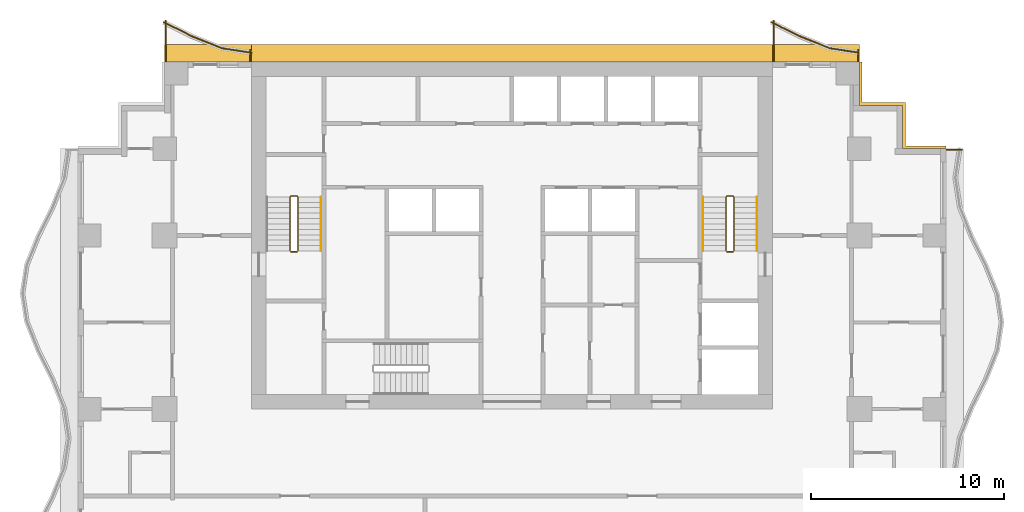
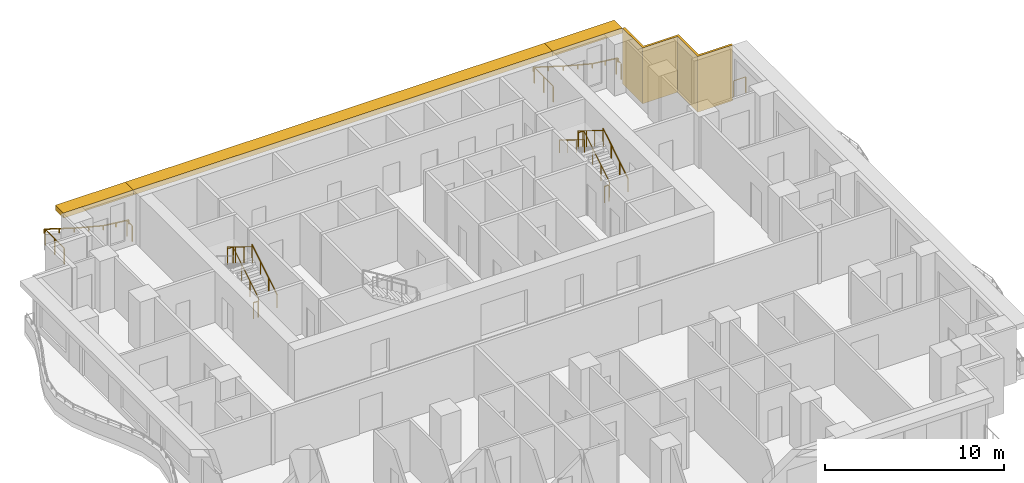
# One storey, part 10 of 10: 14 railings, 4 shading devices.
"""IFC4 building model written with IfcOpenShell, lengths in metres."""

from ifc_helpers import new_model, si_unit, direction, frame, origin, origin_2d, place, context, subcontext, project, spatial, polyline, rectangle, circle, outline, extrude, material, layer, layer_set, type_object, element, save


model = new_model("IFC4")

# Units and contexts
model_context = context("Model", 3, precision=1e-05, world=origin(), true_north=direction((0.0, 1.0)))
body_context = subcontext(model_context, "Body", "Model", "MODEL_VIEW")
ifc_project = project(units=[si_unit("LENGTHUNIT", "METRE"), si_unit("AREAUNIT", "SQUARE_METRE"), si_unit("VOLUMEUNIT", "CUBIC_METRE"), si_unit("PLANEANGLEUNIT", "RADIAN"), si_unit("MASSUNIT", "GRAM", prefix="KILO")], contexts=[model_context])

# Site, building, storey
site_placement = place(None, origin())
site = spatial("IfcSite", under=ifc_project, at=site_placement, CompositionType="ELEMENT")
building_placement = place(site_placement, origin())
building = spatial("IfcBuilding", under=site, at=building_placement, Name="Orbiselva Terraces", CompositionType="ELEMENT")
storey_placement = place(building_placement, frame((0.0, 0.0, 136.4)))
storey = spatial("IfcBuildingStorey", under=building, at=storey_placement, Name="L34", CompositionType="ELEMENT", Elevation=136.4)

# Railings
ifc_material_1 = material(Name="Stainless steel", Category="steel")
railing_type_1 = type_object("IfcRailingType", Name="CORE-GUARD-1100", PredefinedType="GUARDRAIL", material=ifc_material_1)
railing_1_placement = place(storey_placement, frame((-11.1, 12.7, 0.172727)))
element("IfcRailing", 1, at=railing_1_placement, inside=storey, type_object=railing_type_1, Name="L34 S1 stair guard 1", PredefinedType="GUARDRAIL", context=body_context, shape_type="SweptSolid", body=[
    extrude(circle(Radius=0.024, at=origin_2d()), frame((0.0, 0.0, 1.081), z_axis=(0.0, 0.851088519012, 0.52502222125), x_axis=(-1.0, 0.0, 0.0)), (0.0, 0.0, 1.0), 3.289905),
    extrude(circle(Radius=0.024, at=origin_2d()), frame((0.0, 2.8, 2.808273), z_axis=(-0.707106781187, 0.707106781187, 0.0), x_axis=(-0.707106781187, -0.707106781187, 0.0)), (0.0, 0.0, 1.0), 0.070711),
    extrude(circle(Radius=0.024, at=origin_2d()), frame((-0.05, 2.85, 2.808273), z_axis=(-1.0, 0.0, 0.0), x_axis=(0.0, -1.0, 0.0)), (0.0, 0.0, 1.0), 0.3),
    extrude(circle(Radius=0.024, at=origin_2d()), frame((-0.35, 2.85, 2.808273), z_axis=(-0.267894925557, -0.267894925557, 0.925453736133), x_axis=(0.707106781187, -0.707106781187, 0.0)), (0.0, 0.0, 1.0), 0.18664),
    extrude(circle(Radius=0.024, at=origin_2d()), frame((-0.4, 2.8, 2.981), z_axis=(0.0, -0.851088519012, 0.52502222125), x_axis=(1.0, 0.0, 0.0)), (0.0, 0.0, 1.0), 3.289905),
    extrude(circle(Radius=0.021, at=origin_2d()), origin(), (0.0, 0.0, 1.0), 1.057),
    extrude(circle(Radius=0.021, at=origin_2d()), frame((0.0, 0.933333, 0.575758)), (0.0, 0.0, 1.0), 1.057),
    extrude(circle(Radius=0.021, at=origin_2d()), frame((0.0, 1.866667, 1.151515)), (0.0, 0.0, 1.0), 1.057),
    extrude(circle(Radius=0.021, at=origin_2d()), frame((0.0, 2.8, 1.727273)), (0.0, 0.0, 1.0), 1.057),
    extrude(circle(Radius=0.021, at=origin_2d()), frame((-0.05, 2.85, 1.727273)), (0.0, 0.0, 1.0), 1.057),
    extrude(circle(Radius=0.021, at=origin_2d()), frame((-0.35, 2.85, 1.727273)), (0.0, 0.0, 1.0), 1.057),
    extrude(circle(Radius=0.021, at=origin_2d()), frame((-0.4, 2.8, 1.9)), (0.0, 0.0, 1.0), 1.057),
    extrude(circle(Radius=0.021, at=origin_2d()), frame((-0.4, 1.866667, 2.475758)), (0.0, 0.0, 1.0), 1.057),
    extrude(circle(Radius=0.021, at=origin_2d()), frame((-0.4, 0.933333, 3.051515)), (0.0, 0.0, 1.0), 1.057),
    extrude(circle(Radius=0.021, at=origin_2d()), frame((-0.4, 0.0, 3.627273)), (0.0, 0.0, 1.0), 1.057),
])
railing_2_placement = place(storey_placement, frame((-11.15, 12.65, 0.0)))
element("IfcRailing", 2, at=railing_2_placement, inside=storey, type_object=railing_type_1, Name="L34 S1 stair guard 2", PredefinedType="GUARDRAIL", context=body_context, shape_type="SweptSolid", body=[
    extrude(circle(Radius=0.024, at=origin_2d()), frame((0.0, 0.0, 1.081), z_axis=(-1.0, 0.0, 0.0), x_axis=(0.0, -1.0, 0.0)), (0.0, 0.0, 1.0), 0.3),
    extrude(circle(Radius=0.021, at=origin_2d()), origin(), (0.0, 0.0, 1.0), 1.057),
    extrude(circle(Radius=0.021, at=origin_2d()), frame((-0.3, 0.0, 0.0)), (0.0, 0.0, 1.0), 1.057),
])
railing_3_placement = place(storey_placement, frame((11.5, 12.7, 0.172727)))
element("IfcRailing", 3, at=railing_3_placement, inside=storey, type_object=railing_type_1, Name="L34 S2 stair guard 1", PredefinedType="GUARDRAIL", context=body_context, shape_type="SweptSolid", body=[
    extrude(circle(Radius=0.024, at=origin_2d()), frame((0.0, 0.0, 1.081), z_axis=(0.0, 0.851088519012, 0.52502222125), x_axis=(-1.0, 0.0, 0.0)), (0.0, 0.0, 1.0), 3.289905),
    extrude(circle(Radius=0.024, at=origin_2d()), frame((0.0, 2.8, 2.808273), z_axis=(-0.707106781187, 0.707106781187, 0.0), x_axis=(-0.707106781187, -0.707106781187, 0.0)), (0.0, 0.0, 1.0), 0.070711),
    extrude(circle(Radius=0.024, at=origin_2d()), frame((-0.05, 2.85, 2.808273), z_axis=(-1.0, 0.0, 0.0), x_axis=(0.0, -1.0, 0.0)), (0.0, 0.0, 1.0), 0.3),
    extrude(circle(Radius=0.024, at=origin_2d()), frame((-0.35, 2.85, 2.808273), z_axis=(-0.267894925557, -0.267894925557, 0.925453736133), x_axis=(0.707106781187, -0.707106781187, 0.0)), (0.0, 0.0, 1.0), 0.18664),
    extrude(circle(Radius=0.024, at=origin_2d()), frame((-0.4, 2.8, 2.981), z_axis=(0.0, -0.851088519012, 0.52502222125), x_axis=(1.0, 0.0, 0.0)), (0.0, 0.0, 1.0), 3.289905),
    extrude(circle(Radius=0.021, at=origin_2d()), origin(), (0.0, 0.0, 1.0), 1.057),
    extrude(circle(Radius=0.021, at=origin_2d()), frame((0.0, 0.933333, 0.575758)), (0.0, 0.0, 1.0), 1.057),
    extrude(circle(Radius=0.021, at=origin_2d()), frame((0.0, 1.866667, 1.151515)), (0.0, 0.0, 1.0), 1.057),
    extrude(circle(Radius=0.021, at=origin_2d()), frame((0.0, 2.8, 1.727273)), (0.0, 0.0, 1.0), 1.057),
    extrude(circle(Radius=0.021, at=origin_2d()), frame((-0.05, 2.85, 1.727273)), (0.0, 0.0, 1.0), 1.057),
    extrude(circle(Radius=0.021, at=origin_2d()), frame((-0.35, 2.85, 1.727273)), (0.0, 0.0, 1.0), 1.057),
    extrude(circle(Radius=0.021, at=origin_2d()), frame((-0.4, 2.8, 1.9)), (0.0, 0.0, 1.0), 1.057),
    extrude(circle(Radius=0.021, at=origin_2d()), frame((-0.4, 1.866667, 2.475758)), (0.0, 0.0, 1.0), 1.057),
    extrude(circle(Radius=0.021, at=origin_2d()), frame((-0.4, 0.933333, 3.051515)), (0.0, 0.0, 1.0), 1.057),
    extrude(circle(Radius=0.021, at=origin_2d()), frame((-0.4, 0.0, 3.627273)), (0.0, 0.0, 1.0), 1.057),
])
railing_4_placement = place(storey_placement, frame((11.45, 12.65, 0.0)))
element("IfcRailing", 4, at=railing_4_placement, inside=storey, type_object=railing_type_1, Name="L34 S2 stair guard 2", PredefinedType="GUARDRAIL", context=body_context, shape_type="SweptSolid", body=[
    extrude(circle(Radius=0.024, at=origin_2d()), frame((0.0, 0.0, 1.081), z_axis=(-1.0, 0.0, 0.0), x_axis=(0.0, -1.0, 0.0)), (0.0, 0.0, 1.0), 0.3),
    extrude(circle(Radius=0.021, at=origin_2d()), origin(), (0.0, 0.0, 1.0), 1.057),
    extrude(circle(Radius=0.021, at=origin_2d()), frame((-0.3, 0.0, 0.0)), (0.0, 0.0, 1.0), 1.057),
])
railing_type_2 = type_object("IfcRailingType", Name="CORE-HANDRAIL-900", PredefinedType="HANDRAIL", material=ifc_material_1)
for number, where, name in (
    (5, (-9.9, 12.7, 0.172727), "L34 S1 stair handrail 1"),
    (6, (12.7, 12.7, 0.172727), "L34 S2 stair handrail 1"),
):
    element("IfcRailing", number, at=place(storey_placement, frame(where)), inside=storey, type_object=railing_type_2, Name=name, PredefinedType="HANDRAIL", context=body_context, shape_type="SweptSolid", body=[
        extrude(circle(Radius=0.024, at=origin_2d()), frame((0.0, 0.0, 0.876), z_axis=(0.0, 0.851088519012, 0.52502222125), x_axis=(-1.0, 0.0, 0.0)), (0.0, 0.0, 1.0), 3.289905),
        extrude(circle(Radius=0.021, at=origin_2d()), origin(), (0.0, 0.0, 1.0), 0.852),
        extrude(circle(Radius=0.021, at=origin_2d()), frame((0.0, 0.933333, 0.575758)), (0.0, 0.0, 1.0), 0.852),
        extrude(circle(Radius=0.021, at=origin_2d()), frame((0.0, 1.866667, 1.151515)), (0.0, 0.0, 1.0), 0.852),
        extrude(circle(Radius=0.021, at=origin_2d()), frame((0.0, 2.8, 1.727273)), (0.0, 0.0, 1.0), 0.852),
    ])
railing_5_placement = place(storey_placement, frame((9.9, 15.5, 2.072727)))
element("IfcRailing", 7, at=railing_5_placement, inside=storey, type_object=railing_type_2, Name="L34 S2 stair handrail 2", PredefinedType="HANDRAIL", context=body_context, shape_type="SweptSolid", body=[
    extrude(circle(Radius=0.024, at=origin_2d()), frame((0.0, 0.0, 0.876), z_axis=(0.0, -0.851088519012, 0.52502222125), x_axis=(1.0, 0.0, 0.0)), (0.0, 0.0, 1.0), 3.289905),
    extrude(circle(Radius=0.021, at=origin_2d()), origin(), (0.0, 0.0, 1.0), 0.852),
    extrude(circle(Radius=0.021, at=origin_2d()), frame((0.0, -0.933333, 0.575758)), (0.0, 0.0, 1.0), 0.852),
    extrude(circle(Radius=0.021, at=origin_2d()), frame((0.0, -1.866667, 1.151515)), (0.0, 0.0, 1.0), 0.852),
    extrude(circle(Radius=0.021, at=origin_2d()), frame((0.0, -2.8, 1.727273)), (0.0, 0.0, 1.0), 0.852),
])
ifc_material_2 = material(Name="Bonded two-ply safety glass balustrade, stainless steel posts", Category="steel")
railing_type_3 = type_object("IfcRailingType", Name="ENV-BALUSTRADE-1200", PredefinedType="BALUSTRADE", material=ifc_material_2)
railing_6_placement = place(storey_placement, frame((17.981121, 22.976434, 0.9)))
element("IfcRailing", 8, at=railing_6_placement, inside=storey, type_object=railing_type_3, Name="Balcony balustrade L34 NE", PredefinedType="BALUSTRADE", context=body_context, shape_type="SweptSolid", body=[
    extrude(outline(polyline([(0.028868, 0.0), (0.014434, 0.025), (-0.014434, 0.025), (-0.028868, 0.0), (-0.014434, -0.025), (0.014434, -0.025), (0.028868, 0.0)])), frame((0.0, 0.0, 0.275), z_axis=(-0.988528588529, 0.151033869252, 0.0), x_axis=(-0.151033869252, -0.988528588529, 0.0)), (0.0, 0.0, 1.0), 1.531776),
    extrude(outline(polyline([(0.028868, 0.0), (0.014434, 0.025), (-0.014434, 0.025), (-0.028868, 0.0), (-0.014434, -0.025), (0.014434, -0.025), (0.028868, 0.0)])), frame((-1.514204, 0.23135, 0.275), z_axis=(-0.92847681744, 0.371390359967, 0.0), x_axis=(-0.371390359967, -0.92847681744, 0.0)), (0.0, 0.0, 1.0), 1.634838),
    extrude(outline(polyline([(0.028868, 0.0), (0.014434, 0.025), (-0.014434, 0.025), (-0.028868, 0.0), (-0.014434, -0.025), (0.014434, -0.025), (0.028868, 0.0)])), frame((-3.032113, 0.838513, 0.275), z_axis=(-0.896416535525, 0.44321258425, 0.0), x_axis=(-0.44321258425, -0.896416535525, 0.0)), (0.0, 0.0, 1.0), 1.678249),
    extrude(rectangle(XDim=0.05, YDim=0.05, at=origin_2d()), origin(), (0.0, 0.0, 1.0), 0.25),
    extrude(rectangle(XDim=0.05, YDim=0.05, at=origin_2d()), frame((-0.757102, 0.115675, 0.0)), (0.0, 0.0, 1.0), 0.25),
    extrude(rectangle(XDim=0.05, YDim=0.05, at=origin_2d()), frame((-1.514204, 0.23135, 0.0)), (0.0, 0.0, 1.0), 0.25),
    extrude(rectangle(XDim=0.05, YDim=0.05, at=origin_2d()), frame((-2.273159, 0.534931, 0.0)), (0.0, 0.0, 1.0), 0.25),
    extrude(rectangle(XDim=0.05, YDim=0.05, at=origin_2d()), frame((-3.032113, 0.838513, 0.0)), (0.0, 0.0, 1.0), 0.25),
    extrude(rectangle(XDim=0.05, YDim=0.05, at=origin_2d()), frame((-3.784318, 1.210423, 0.0)), (0.0, 0.0, 1.0), 0.25),
    extrude(rectangle(XDim=0.05, YDim=0.05, at=origin_2d()), frame((-4.536523, 1.582334, 0.0)), (0.0, 0.0, 1.0), 0.25),
])
railing_7_placement = place(storey_placement, frame((-13.518879, 22.976434, 0.9)))
element("IfcRailing", 9, at=railing_7_placement, inside=storey, type_object=railing_type_3, Name="Balcony balustrade L34 NW", PredefinedType="BALUSTRADE", context=body_context, shape_type="SweptSolid", body=[
    extrude(outline(polyline([(0.028868, 0.0), (0.014434, 0.025), (-0.014434, 0.025), (-0.028868, 0.0), (-0.014434, -0.025), (0.014434, -0.025), (0.028868, 0.0)])), frame((0.0, 0.0, 0.275), z_axis=(-0.988528588529, 0.151033869252, 0.0), x_axis=(-0.151033869252, -0.988528588529, 0.0)), (0.0, 0.0, 1.0), 1.531776),
    extrude(outline(polyline([(0.028868, 0.0), (0.014434, 0.025), (-0.014434, 0.025), (-0.028868, 0.0), (-0.014434, -0.025), (0.014434, -0.025), (0.028868, 0.0)])), frame((-1.514204, 0.23135, 0.275), z_axis=(-0.92847681744, 0.371390359967, 0.0), x_axis=(-0.371390359967, -0.92847681744, 0.0)), (0.0, 0.0, 1.0), 1.634838),
    extrude(outline(polyline([(0.028868, 0.0), (0.014434, 0.025), (-0.014434, 0.025), (-0.028868, 0.0), (-0.014434, -0.025), (0.014434, -0.025), (0.028868, 0.0)])), frame((-3.032113, 0.838513, 0.275), z_axis=(-0.896416535525, 0.44321258425, 0.0), x_axis=(-0.44321258425, -0.896416535525, 0.0)), (0.0, 0.0, 1.0), 1.678249),
    extrude(rectangle(XDim=0.05, YDim=0.05, at=origin_2d()), origin(), (0.0, 0.0, 1.0), 0.25),
    extrude(rectangle(XDim=0.05, YDim=0.05, at=origin_2d()), frame((-0.757102, 0.115675, 0.0)), (0.0, 0.0, 1.0), 0.25),
    extrude(rectangle(XDim=0.05, YDim=0.05, at=origin_2d()), frame((-1.514204, 0.23135, 0.0)), (0.0, 0.0, 1.0), 0.25),
    extrude(rectangle(XDim=0.05, YDim=0.05, at=origin_2d()), frame((-2.273158, 0.534931, 0.0)), (0.0, 0.0, 1.0), 0.25),
    extrude(rectangle(XDim=0.05, YDim=0.05, at=origin_2d()), frame((-3.032113, 0.838513, 0.0)), (0.0, 0.0, 1.0), 0.25),
    extrude(rectangle(XDim=0.05, YDim=0.05, at=origin_2d()), frame((-3.784318, 1.210423, 0.0)), (0.0, 0.0, 1.0), 0.25),
    extrude(rectangle(XDim=0.05, YDim=0.05, at=origin_2d()), frame((-4.536523, 1.582334, 0.0)), (0.0, 0.0, 1.0), 0.25),
])
ifc_material_3 = material(Name="Stainless steel rail and posts", Category="steel")
railing_type_4 = type_object("IfcRailingType", Name="ENV-GUARD-1105", PredefinedType="BALUSTRADE", material=ifc_material_3)
railing_8_placement = place(storey_placement, frame((23.311761, 17.94, 0.0)))
element("IfcRailing", 10, at=railing_8_placement, inside=storey, type_object=railing_type_4, Name="Balcony end guard L34 E", PredefinedType="BALUSTRADE", context=body_context, shape_type="SweptSolid", body=[
    extrude(outline(polyline([(0.028868, 0.0), (0.014434, 0.025), (-0.014434, 0.025), (-0.028868, 0.0), (-0.014434, -0.025), (0.014434, -0.025), (0.028868, 0.0)])), frame((0.0, 0.0, 1.08), z_axis=(-1.0, 0.0, 0.0), x_axis=(0.0, -1.0, 0.0)), (0.0, 0.0, 1.0), 0.786761),
    extrude(rectangle(XDim=0.05, YDim=0.05, at=origin_2d()), origin(), (0.0, 0.0, 1.0), 1.055),
    extrude(rectangle(XDim=0.05, YDim=0.05, at=origin_2d()), frame((-0.786761, 0.0, 0.0)), (0.0, 0.0, 1.0), 1.055),
])
railing_9_placement = place(storey_placement, frame((17.94, 23.100379, 0.0)))
element("IfcRailing", 11, at=railing_9_placement, inside=storey, type_object=railing_type_4, Name="Balcony end guard L34 NE", PredefinedType="BALUSTRADE", context=body_context, shape_type="SweptSolid", body=[
    extrude(outline(polyline([(0.028868, 0.0), (0.014434, 0.025), (-0.014434, 0.025), (-0.028868, 0.0), (-0.014434, -0.025), (0.014434, -0.025), (0.028868, 0.0)])), frame((0.0, 0.0, 1.08), z_axis=(0.0, -1.0, 0.0), x_axis=(1.0, 0.0, 0.0)), (0.0, 0.0, 1.0), 0.575379),
    extrude(rectangle(XDim=0.05, YDim=0.05, at=origin_2d()), origin(), (0.0, 0.0, 1.0), 1.055),
    extrude(rectangle(XDim=0.05, YDim=0.05, at=origin_2d()), frame((0.0, -0.575379, 0.0)), (0.0, 0.0, 1.0), 1.055),
])
railing_10_placement = place(storey_placement, frame((13.56, 24.642023, 0.0)))
element("IfcRailing", 12, at=railing_10_placement, inside=storey, type_object=railing_type_4, Name="Balcony end guard L34 NE", PredefinedType="BALUSTRADE", context=body_context, shape_type="SweptSolid", body=[
    extrude(outline(polyline([(0.028868, 0.0), (0.014434, 0.025), (-0.014434, 0.025), (-0.028868, 0.0), (-0.014434, -0.025), (0.014434, -0.025), (0.028868, 0.0)])), frame((0.0, 0.0, 1.08), z_axis=(0.0, -1.0, 0.0), x_axis=(1.0, 0.0, 0.0)), (0.0, 0.0, 1.0), 2.117023),
    extrude(rectangle(XDim=0.05, YDim=0.05, at=origin_2d()), origin(), (0.0, 0.0, 1.0), 1.055),
    extrude(rectangle(XDim=0.05, YDim=0.05, at=origin_2d()), frame((0.0, -1.058511, 0.0)), (0.0, 0.0, 1.0), 1.055),
    extrude(rectangle(XDim=0.05, YDim=0.05, at=origin_2d()), frame((0.0, -2.117023, 0.0)), (0.0, 0.0, 1.0), 1.055),
])
railing_11_placement = place(storey_placement, frame((-13.56, 23.100379, 0.0)))
element("IfcRailing", 13, at=railing_11_placement, inside=storey, type_object=railing_type_4, Name="Balcony end guard L34 NW", PredefinedType="BALUSTRADE", context=body_context, shape_type="SweptSolid", body=[
    extrude(outline(polyline([(0.028868, 0.0), (0.014434, 0.025), (-0.014434, 0.025), (-0.028868, 0.0), (-0.014434, -0.025), (0.014434, -0.025), (0.028868, 0.0)])), frame((0.0, 0.0, 1.08), z_axis=(0.0, -1.0, 0.0), x_axis=(1.0, 0.0, 0.0)), (0.0, 0.0, 1.0), 0.575379),
    extrude(rectangle(XDim=0.05, YDim=0.05, at=origin_2d()), origin(), (0.0, 0.0, 1.0), 1.055),
    extrude(rectangle(XDim=0.05, YDim=0.05, at=origin_2d()), frame((0.0, -0.575379, 0.0)), (0.0, 0.0, 1.0), 1.055),
])
railing_12_placement = place(storey_placement, frame((-17.94, 24.642023, 0.0)))
element("IfcRailing", 14, at=railing_12_placement, inside=storey, type_object=railing_type_4, Name="Balcony end guard L34 NW", PredefinedType="BALUSTRADE", context=body_context, shape_type="SweptSolid", body=[
    extrude(outline(polyline([(0.028868, 0.0), (0.014434, 0.025), (-0.014434, 0.025), (-0.028868, 0.0), (-0.014434, -0.025), (0.014434, -0.025), (0.028868, 0.0)])), frame((0.0, 0.0, 1.08), z_axis=(0.0, -1.0, 0.0), x_axis=(1.0, 0.0, 0.0)), (0.0, 0.0, 1.0), 2.117023),
    extrude(rectangle(XDim=0.05, YDim=0.05, at=origin_2d()), origin(), (0.0, 0.0, 1.0), 1.055),
    extrude(rectangle(XDim=0.05, YDim=0.05, at=origin_2d()), frame((0.0, -1.058511, 0.0)), (0.0, 0.0, 1.0), 1.055),
    extrude(rectangle(XDim=0.05, YDim=0.05, at=origin_2d()), frame((0.0, -2.117023, 0.0)), (0.0, 0.0, 1.0), 1.055),
])

# Shading devices
ifc_material_4 = material(Name="Terracotta louvre screen", Category="masonry")
ifc_layer_1 = layer(ifc_material_4, 0.15)
ifc_layer_set_1 = layer_set([ifc_layer_1], Name="Terracotta louvre screen")
shading_device_type_1 = type_object("IfcShadingDeviceType", Name="ENV-SCREEN-150", PredefinedType="USERDEFINED", material=ifc_layer_set_1)
shading_device_1_placement = place(storey_placement, frame((0.0, 0.0, -0.3)))
element("IfcShadingDevice", 15, at=shading_device_1_placement, inside=storey, type_object=shading_device_type_1, Name="Louvre screen L34 NE", ObjectType="SCREEN", PredefinedType="USERDEFINED", context=body_context, shape_type="SweptSolid", body=[
    extrude(outline(polyline([(22.5, 18.15), (20.4, 18.15), (20.4, 20.4), (18.15, 20.4), (18.15, 22.5), (18.0, 22.5), (18.0, 20.25), (20.25, 20.25), (20.25, 18.0), (22.5, 18.0), (22.5, 18.15)])), origin(), (0.0, 0.0, 1.0), 3.8),
])
ifc_material_5 = material(Name="Terracotta baguette sunshade", Category="masonry")
ifc_layer_2 = layer(ifc_material_5, 0.35)
ifc_layer_set_2 = layer_set([ifc_layer_2], Name="Terracotta baguette sunshade")
shading_device_type_2 = type_object("IfcShadingDeviceType", Name="ENV-SUNSHADE-900x350", PredefinedType="USERDEFINED", material=ifc_layer_set_2)
shading_device_2_placement = place(storey_placement, frame((0.0, 0.0, 3.15)))
element("IfcShadingDevice", 16, at=shading_device_2_placement, inside=storey, type_object=shading_device_type_2, Name="Sunshade band L34 NE", ObjectType="SUNSHADE", PredefinedType="USERDEFINED", context=body_context, shape_type="SweptSolid", body=[
    extrude(outline(polyline([(18.0, 23.4), (13.5, 23.4), (13.5, 22.5), (18.0, 22.5), (18.0, 23.4)])), origin(), (0.0, 0.0, 1.0), 0.35),
])
shading_device_3_placement = place(storey_placement, frame((0.0, 0.0, 3.15)))
element("IfcShadingDevice", 17, at=shading_device_3_placement, inside=storey, type_object=shading_device_type_2, Name="Sunshade band L34 CORE NORTH", ObjectType="SUNSHADE", PredefinedType="USERDEFINED", context=body_context, shape_type="SweptSolid", body=[
    extrude(outline(polyline([(13.5, 23.4), (-13.5, 23.4), (-13.5, 22.5), (13.5, 22.5), (13.5, 23.4)])), origin(), (0.0, 0.0, 1.0), 0.35),
])
shading_device_4_placement = place(storey_placement, frame((0.0, 0.0, 3.15)))
element("IfcShadingDevice", 18, at=shading_device_4_placement, inside=storey, type_object=shading_device_type_2, Name="Sunshade band L34 NW", ObjectType="SUNSHADE", PredefinedType="USERDEFINED", context=body_context, shape_type="SweptSolid", body=[
    extrude(outline(polyline([(-13.5, 23.4), (-18.0, 23.4), (-18.0, 22.5), (-13.5, 22.5), (-13.5, 23.4)])), origin(), (0.0, 0.0, 1.0), 0.35),
])

save(model, "model.ifc")
